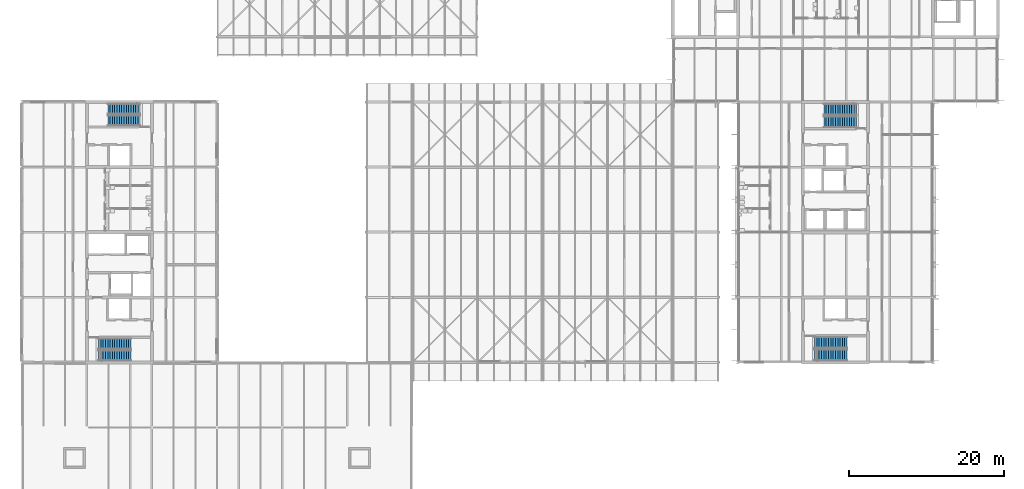
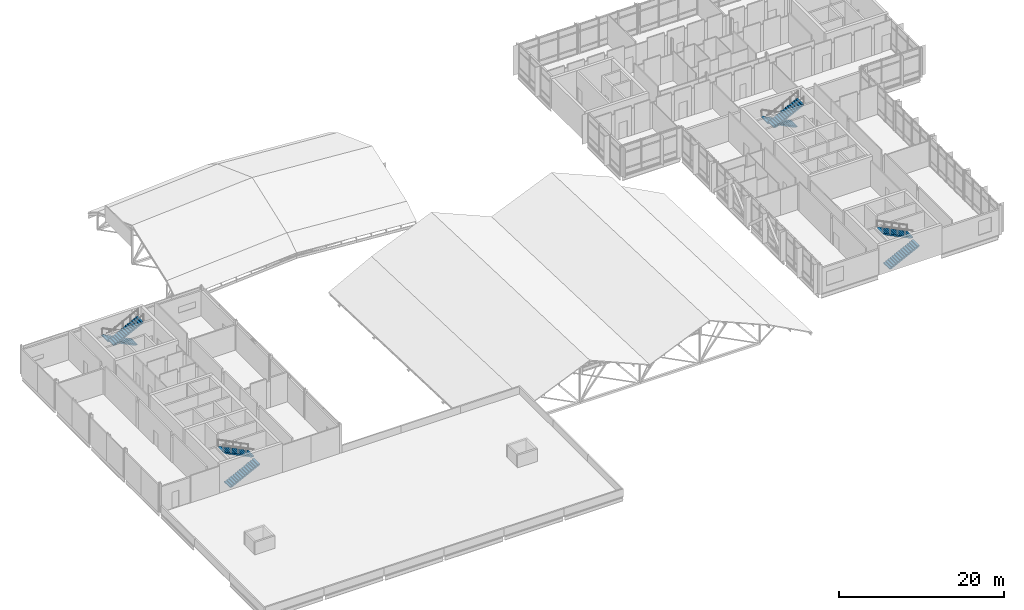
# One storey, part 40 of 76: 8 stair flights, 4 elements without a shape of their own.
"""IFC4 building model written with IfcOpenShell, lengths in metres."""

from ifc_helpers import new_model, si_unit, direction, frame, origin, place, context, subcontext, project, spatial, polyline, outline, extrude, material, type_object, element, aggregate, save


model = new_model("IFC4")

# Units and contexts
model_context = context("Model", 3, precision=1e-05, world=origin(), true_north=direction((0.0, 1.0)))
body_context = subcontext(model_context, "Body", "Model", "MODEL_VIEW")
ifc_project = project(units=[si_unit("LENGTHUNIT", "METRE"), si_unit("AREAUNIT", "SQUARE_METRE"), si_unit("VOLUMEUNIT", "CUBIC_METRE"), si_unit("PLANEANGLEUNIT", "RADIAN"), si_unit("MASSUNIT", "GRAM", prefix="KILO")], contexts=[model_context])

# Site, building, storey
site_placement = place(None, origin())
site = spatial("IfcSite", under=ifc_project, at=site_placement, CompositionType="ELEMENT")
building_placement = place(site_placement, origin())
building = spatial("IfcBuilding", under=site, at=building_placement, Name="Hlaing Beacon Police Headquarters", CompositionType="ELEMENT")
storey_placement = place(building_placement, frame((0.0, 0.0, 18.89990234375)))
storey = spatial("IfcBuildingStorey", under=building, at=storey_placement, Name="L04", CompositionType="ELEMENT", Elevation=18.89990234375)

# Stair, stair flights
ifc_material_1 = material(Name="Concrete C40/50", Category="concrete")
stair_type_1 = type_object("IfcStairType", Name="Half-turn stair 1400 wide, 4500 rise", PredefinedType="HALF_TURN_STAIR", material=ifc_material_1)
stair_1_placement = place(storey_placement, origin())
stair_1 = element("IfcStair", 1, at=stair_1_placement, inside=storey, type_object=stair_type_1, Name="Stair ST-P", PredefinedType="HALF_TURN_STAIR")
ifc_material_2 = material(Name="Concrete C40/50", Category="concrete")
stair_flight_type_1 = type_object("IfcStairFlightType", Name="Stair flight 1400 wide, 15 risers", PredefinedType="STRAIGHT", material=ifc_material_2)
stair_flight_1_placement = place(storey_placement, frame((23.699951171875, 66.300048828125, 0.0), z_axis=(0.0, 0.0, 1.0), x_axis=(-1.0, 0.0, 0.0)))
stair_flight_1 = element("IfcStairFlight", 2, at=stair_flight_1_placement, type_object=stair_flight_type_1, Name="ST-P flight 1", NumberOfRisers=15, NumberOfTreads=14, PredefinedType="STRAIGHT", RiserHeight=0.15, TreadLength=0.3, context=body_context, shape_type="SweptSolid", body=[
    extrude(outline(polyline([(0.0, 0.0), (0.0, 0.14990234375), (0.300048828125, 0.14990234375), (0.300048828125, 0.300048828125), (0.60009765625, 0.300048828125), (0.60009765625, 0.449951171875), (0.89990234375, 0.449951171875), (0.89990234375, 0.60009765625), (1.199951171875, 0.60009765625), (1.199951171875, 0.75), (1.5, 0.75), (1.5, 0.89990234375), (1.800048828125, 0.89990234375), (1.800048828125, 1.050048828125), (2.10009765625, 1.050048828125), (2.10009765625, 1.199951171875), (2.39990234375, 1.199951171875), (2.39990234375, 1.35009765625), (2.699951171875, 1.35009765625), (2.699951171875, 1.5), (3.0, 1.5), (3.0, 1.64990234375), (3.300048828125, 1.64990234375), (3.300048828125, 1.800048828125), (3.60009765625, 1.800048828125), (3.60009765625, 1.949951171875), (3.89990234375, 1.949951171875), (3.89990234375, 2.10009765625), (4.199951171875, 2.10009765625), (4.199951171875, 2.25), (4.199951171875, 1.932373046875), (0.335205078125, 0.0), (0.0, 0.0)])), frame((0.0, 0.699951171875, 0.0), z_axis=(0.0, -1.0, 0.0), x_axis=(1.0, 0.0, 0.0)), (0.0, 0.0, 1.0), 1.39990234375),
])
stair_flight_2_placement = place(storey_placement, frame((19.5, 64.800048828125, 2.25), z_axis=(0.0, 0.0, 1.0), x_axis=(1.0, 0.0, 0.0)))
stair_flight_2 = element("IfcStairFlight", 3, at=stair_flight_2_placement, type_object=stair_flight_type_1, Name="ST-P flight 2", NumberOfRisers=15, NumberOfTreads=14, PredefinedType="STRAIGHT", RiserHeight=0.15, TreadLength=0.3, context=body_context, shape_type="SweptSolid", body=[
    extrude(outline(polyline([(0.0, 0.0), (0.0, 0.14990234375), (0.300048828125, 0.14990234375), (0.300048828125, 0.300048828125), (0.60009765625, 0.300048828125), (0.60009765625, 0.449951171875), (0.89990234375, 0.449951171875), (0.89990234375, 0.60009765625), (1.199951171875, 0.60009765625), (1.199951171875, 0.75), (1.5, 0.75), (1.5, 0.89990234375), (1.800048828125, 0.89990234375), (1.800048828125, 1.050048828125), (2.10009765625, 1.050048828125), (2.10009765625, 1.199951171875), (2.39990234375, 1.199951171875), (2.39990234375, 1.35009765625), (2.699951171875, 1.35009765625), (2.699951171875, 1.5), (3.0, 1.5), (3.0, 1.64990234375), (3.300048828125, 1.64990234375), (3.300048828125, 1.800048828125), (3.60009765625, 1.800048828125), (3.60009765625, 1.949951171875), (3.89990234375, 1.949951171875), (3.89990234375, 2.10009765625), (4.199951171875, 2.10009765625), (4.199951171875, 2.25), (4.199951171875, 1.932373046875), (0.335205078125, 0.0), (0.0, 0.0)])), frame((0.0, 0.699951171875, 0.0), z_axis=(0.0, -1.0, 0.0), x_axis=(1.0, 0.0, 0.0)), (0.0, 0.0, 1.0), 1.39990234375),
])
aggregate(stair_1, [stair_flight_1, stair_flight_2])

stair_2_placement = place(storey_placement, origin())
stair_2 = element("IfcStair", 4, at=stair_2_placement, inside=storey, type_object=stair_type_1, Name="Stair ST-N", PredefinedType="HALF_TURN_STAIR")
stair_flight_3_placement = place(storey_placement, frame((18.300048828125, 34.5, 0.0), z_axis=(0.0, 0.0, 1.0), x_axis=(1.0, 0.0, 0.0)))
stair_flight_3 = element("IfcStairFlight", 5, at=stair_flight_3_placement, type_object=stair_flight_type_1, Name="ST-N flight 1", NumberOfRisers=15, NumberOfTreads=14, PredefinedType="STRAIGHT", RiserHeight=0.15, TreadLength=0.3, context=body_context, shape_type="SweptSolid", body=[
    extrude(outline(polyline([(0.0, 0.0), (0.0, 0.14990234375), (0.300048828125, 0.14990234375), (0.300048828125, 0.300048828125), (0.60009765625, 0.300048828125), (0.60009765625, 0.449951171875), (0.89990234375, 0.449951171875), (0.89990234375, 0.60009765625), (1.199951171875, 0.60009765625), (1.199951171875, 0.75), (1.5, 0.75), (1.5, 0.89990234375), (1.800048828125, 0.89990234375), (1.800048828125, 1.050048828125), (2.10009765625, 1.050048828125), (2.10009765625, 1.199951171875), (2.39990234375, 1.199951171875), (2.39990234375, 1.35009765625), (2.699951171875, 1.35009765625), (2.699951171875, 1.5), (3.0, 1.5), (3.0, 1.64990234375), (3.300048828125, 1.64990234375), (3.300048828125, 1.800048828125), (3.60009765625, 1.800048828125), (3.60009765625, 1.949951171875), (3.89990234375, 1.949951171875), (3.89990234375, 2.10009765625), (4.199951171875, 2.10009765625), (4.199951171875, 2.25), (4.199951171875, 1.932373046875), (0.335205078125, 0.0), (0.0, 0.0)])), frame((0.0, 0.699951171875, 0.0), z_axis=(0.0, -1.0, 0.0), x_axis=(1.0, 0.0, 0.0)), (0.0, 0.0, 1.0), 1.39990234375),
])
stair_flight_4_placement = place(storey_placement, frame((22.5, 36.0, 2.25), z_axis=(0.0, 0.0, 1.0), x_axis=(-1.0, 0.0, 0.0)))
stair_flight_4 = element("IfcStairFlight", 6, at=stair_flight_4_placement, type_object=stair_flight_type_1, Name="ST-N flight 2", NumberOfRisers=15, NumberOfTreads=14, PredefinedType="STRAIGHT", RiserHeight=0.15, TreadLength=0.3, context=body_context, shape_type="SweptSolid", body=[
    extrude(outline(polyline([(0.0, 0.0), (0.0, 0.14990234375), (0.300048828125, 0.14990234375), (0.300048828125, 0.300048828125), (0.60009765625, 0.300048828125), (0.60009765625, 0.449951171875), (0.89990234375, 0.449951171875), (0.89990234375, 0.60009765625), (1.199951171875, 0.60009765625), (1.199951171875, 0.75), (1.5, 0.75), (1.5, 0.89990234375), (1.800048828125, 0.89990234375), (1.800048828125, 1.050048828125), (2.10009765625, 1.050048828125), (2.10009765625, 1.199951171875), (2.39990234375, 1.199951171875), (2.39990234375, 1.35009765625), (2.699951171875, 1.35009765625), (2.699951171875, 1.5), (3.0, 1.5), (3.0, 1.64990234375), (3.300048828125, 1.64990234375), (3.300048828125, 1.800048828125), (3.60009765625, 1.800048828125), (3.60009765625, 1.949951171875), (3.89990234375, 1.949951171875), (3.89990234375, 2.10009765625), (4.199951171875, 2.10009765625), (4.199951171875, 2.25), (4.199951171875, 1.932373046875), (0.335205078125, 0.0), (0.0, 0.0)])), frame((0.0, 0.699951171875, 0.0), z_axis=(0.0, -1.0, 0.0), x_axis=(1.0, 0.0, 0.0)), (0.0, 0.0, 1.0), 1.39990234375),
])
aggregate(stair_2, [stair_flight_3, stair_flight_4])

ifc_material_3 = material(Name="Concrete C40/50", Category="concrete")
stair_type_2 = type_object("IfcStairType", Name="Half-turn stair 1500 wide, 4500 rise", PredefinedType="HALF_TURN_STAIR", material=ifc_material_3)
stair_3_placement = place(storey_placement, origin())
stair_3 = element("IfcStair", 7, at=stair_3_placement, inside=storey, type_object=stair_type_2, Name="Stair ST-M", PredefinedType="HALF_TURN_STAIR")
ifc_material_4 = material(Name="Concrete C40/50", Category="concrete")
stair_flight_type_2 = type_object("IfcStairFlightType", Name="Stair flight 1500 wide, 15 risers", PredefinedType="STRAIGHT", material=ifc_material_4)
stair_flight_5_placement = place(storey_placement, frame((116.10009765625, 66.25, 0.0), z_axis=(0.0, 0.0, 1.0), x_axis=(-1.0, 0.0, 0.0)))
stair_flight_5 = element("IfcStairFlight", 8, at=stair_flight_5_placement, type_object=stair_flight_type_2, Name="ST-M flight 1", NumberOfRisers=15, NumberOfTreads=14, PredefinedType="STRAIGHT", RiserHeight=0.15, TreadLength=0.3, context=body_context, shape_type="SweptSolid", body=[
    extrude(outline(polyline([(0.0, 0.0), (0.0, 0.14990234375), (0.300048828125, 0.14990234375), (0.300048828125, 0.300048828125), (0.60009765625, 0.300048828125), (0.60009765625, 0.449951171875), (0.89990234375, 0.449951171875), (0.89990234375, 0.60009765625), (1.199951171875, 0.60009765625), (1.199951171875, 0.75), (1.5, 0.75), (1.5, 0.89990234375), (1.800048828125, 0.89990234375), (1.800048828125, 1.050048828125), (2.10009765625, 1.050048828125), (2.10009765625, 1.199951171875), (2.39990234375, 1.199951171875), (2.39990234375, 1.35009765625), (2.699951171875, 1.35009765625), (2.699951171875, 1.5), (3.0, 1.5), (3.0, 1.64990234375), (3.300048828125, 1.64990234375), (3.300048828125, 1.800048828125), (3.60009765625, 1.800048828125), (3.60009765625, 1.949951171875), (3.89990234375, 1.949951171875), (3.89990234375, 2.10009765625), (4.199951171875, 2.10009765625), (4.199951171875, 2.25), (4.199951171875, 1.932373046875), (0.335205078125, 0.0), (0.0, 0.0)])), frame((0.0, 0.75, 0.0), z_axis=(0.0, -1.0, 0.0), x_axis=(1.0, 0.0, 0.0)), (0.0, 0.0, 1.0), 1.5),
])
stair_flight_6_placement = place(storey_placement, frame((111.89990234375, 64.64990234375, 2.25), z_axis=(0.0, 0.0, 1.0), x_axis=(1.0, 0.0, 0.0)))
stair_flight_6 = element("IfcStairFlight", 9, at=stair_flight_6_placement, type_object=stair_flight_type_2, Name="ST-M flight 2", NumberOfRisers=15, NumberOfTreads=14, PredefinedType="STRAIGHT", RiserHeight=0.15, TreadLength=0.3, context=body_context, shape_type="SweptSolid", body=[
    extrude(outline(polyline([(0.0, 0.0), (0.0, 0.14990234375), (0.300048828125, 0.14990234375), (0.300048828125, 0.300048828125), (0.60009765625, 0.300048828125), (0.60009765625, 0.449951171875), (0.89990234375, 0.449951171875), (0.89990234375, 0.60009765625), (1.199951171875, 0.60009765625), (1.199951171875, 0.75), (1.5, 0.75), (1.5, 0.89990234375), (1.800048828125, 0.89990234375), (1.800048828125, 1.050048828125), (2.10009765625, 1.050048828125), (2.10009765625, 1.199951171875), (2.39990234375, 1.199951171875), (2.39990234375, 1.35009765625), (2.699951171875, 1.35009765625), (2.699951171875, 1.5), (3.0, 1.5), (3.0, 1.64990234375), (3.300048828125, 1.64990234375), (3.300048828125, 1.800048828125), (3.60009765625, 1.800048828125), (3.60009765625, 1.949951171875), (3.89990234375, 1.949951171875), (3.89990234375, 2.10009765625), (4.199951171875, 2.10009765625), (4.199951171875, 2.25), (4.199951171875, 1.932373046875), (0.335205078125, 0.0), (0.0, 0.0)])), frame((0.0, 0.75, 0.0), z_axis=(0.0, -1.0, 0.0), x_axis=(1.0, 0.0, 0.0)), (0.0, 0.0, 1.0), 1.5),
])
aggregate(stair_3, [stair_flight_5, stair_flight_6])

stair_4_placement = place(storey_placement, origin())
stair_4 = element("IfcStair", 10, at=stair_4_placement, inside=storey, type_object=stair_type_2, Name="Stair ST-L", PredefinedType="HALF_TURN_STAIR")
stair_flight_7_placement = place(storey_placement, frame((110.699951171875, 34.550048828125, 0.0), z_axis=(0.0, 0.0, 1.0), x_axis=(1.0, 0.0, 0.0)))
stair_flight_7 = element("IfcStairFlight", 11, at=stair_flight_7_placement, type_object=stair_flight_type_2, Name="ST-L flight 1", NumberOfRisers=15, NumberOfTreads=14, PredefinedType="STRAIGHT", RiserHeight=0.15, TreadLength=0.3, context=body_context, shape_type="SweptSolid", body=[
    extrude(outline(polyline([(0.0, 0.0), (0.0, 0.14990234375), (0.300048828125, 0.14990234375), (0.300048828125, 0.300048828125), (0.60009765625, 0.300048828125), (0.60009765625, 0.449951171875), (0.89990234375, 0.449951171875), (0.89990234375, 0.60009765625), (1.199951171875, 0.60009765625), (1.199951171875, 0.75), (1.5, 0.75), (1.5, 0.89990234375), (1.800048828125, 0.89990234375), (1.800048828125, 1.050048828125), (2.10009765625, 1.050048828125), (2.10009765625, 1.199951171875), (2.39990234375, 1.199951171875), (2.39990234375, 1.35009765625), (2.699951171875, 1.35009765625), (2.699951171875, 1.5), (3.0, 1.5), (3.0, 1.64990234375), (3.300048828125, 1.64990234375), (3.300048828125, 1.800048828125), (3.60009765625, 1.800048828125), (3.60009765625, 1.949951171875), (3.89990234375, 1.949951171875), (3.89990234375, 2.10009765625), (4.199951171875, 2.10009765625), (4.199951171875, 2.25), (4.199951171875, 1.932373046875), (0.335205078125, 0.0), (0.0, 0.0)])), frame((0.0, 0.75, 0.0), z_axis=(0.0, -1.0, 0.0), x_axis=(1.0, 0.0, 0.0)), (0.0, 0.0, 1.0), 1.5),
])
stair_flight_8_placement = place(storey_placement, frame((114.89990234375, 36.14990234375, 2.25), z_axis=(0.0, 0.0, 1.0), x_axis=(-1.0, 0.0, 0.0)))
stair_flight_8 = element("IfcStairFlight", 12, at=stair_flight_8_placement, type_object=stair_flight_type_2, Name="ST-L flight 2", NumberOfRisers=15, NumberOfTreads=14, PredefinedType="STRAIGHT", RiserHeight=0.15, TreadLength=0.3, context=body_context, shape_type="SweptSolid", body=[
    extrude(outline(polyline([(0.0, 0.0), (0.0, 0.14990234375), (0.300048828125, 0.14990234375), (0.300048828125, 0.300048828125), (0.60009765625, 0.300048828125), (0.60009765625, 0.449951171875), (0.89990234375, 0.449951171875), (0.89990234375, 0.60009765625), (1.199951171875, 0.60009765625), (1.199951171875, 0.75), (1.5, 0.75), (1.5, 0.89990234375), (1.800048828125, 0.89990234375), (1.800048828125, 1.050048828125), (2.10009765625, 1.050048828125), (2.10009765625, 1.199951171875), (2.39990234375, 1.199951171875), (2.39990234375, 1.35009765625), (2.699951171875, 1.35009765625), (2.699951171875, 1.5), (3.0, 1.5), (3.0, 1.64990234375), (3.300048828125, 1.64990234375), (3.300048828125, 1.800048828125), (3.60009765625, 1.800048828125), (3.60009765625, 1.949951171875), (3.89990234375, 1.949951171875), (3.89990234375, 2.10009765625), (4.199951171875, 2.10009765625), (4.199951171875, 2.25), (4.199951171875, 1.932373046875), (0.335205078125, 0.0), (0.0, 0.0)])), frame((0.0, 0.75, 0.0), z_axis=(0.0, -1.0, 0.0), x_axis=(1.0, 0.0, 0.0)), (0.0, 0.0, 1.0), 1.5),
])
aggregate(stair_4, [stair_flight_7, stair_flight_8])

save(model, "model.ifc")
